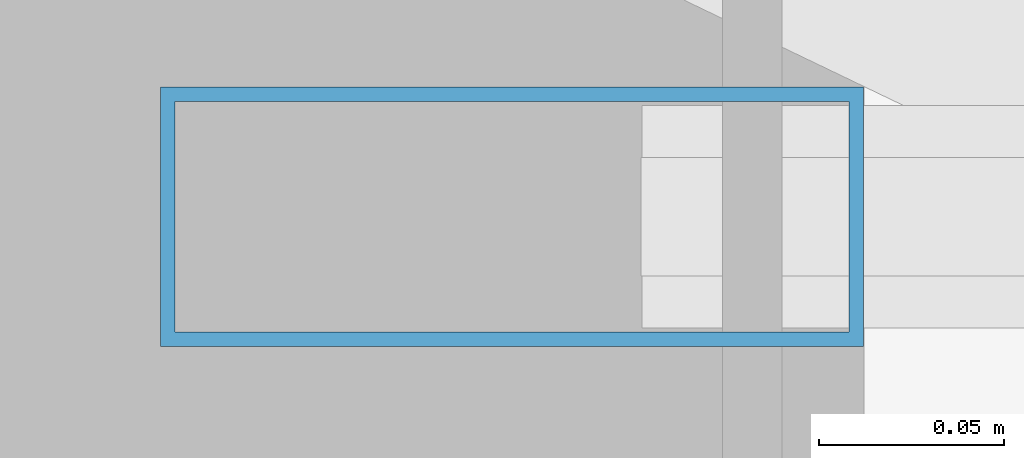
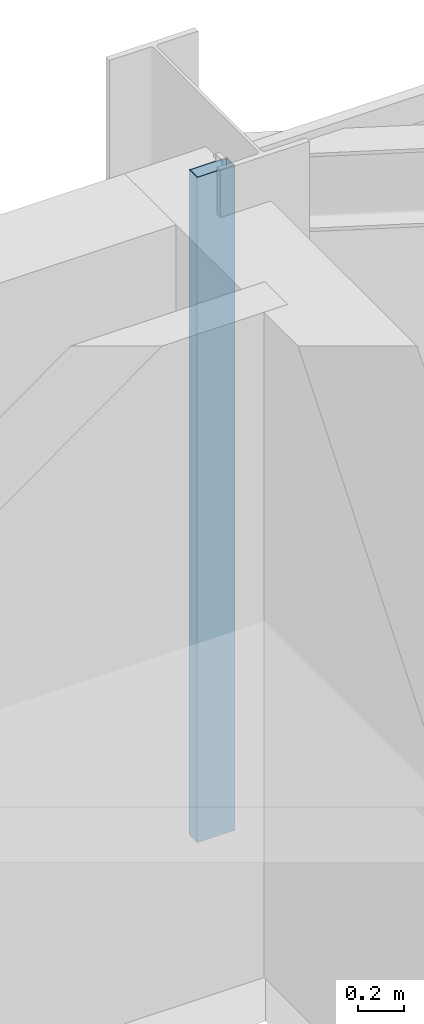
# One storey, part 23 of 33: 1 member, 1 element without a shape of its own.
"""IFC4 building model written with IfcOpenShell, lengths in metres."""

from ifc_helpers import new_model, si_unit, direction, frame, origin, origin_2d, place, context, subcontext, project, spatial, hollow_rectangle, extrude, source, transform, mapped, material, layer, layer_set, material_profile, profile_set, type_object, type_shapes, element, aggregate, save


model = new_model("IFC4")

# Units and contexts
model_context = context("Model", 3, precision=1e-05, world=origin(), true_north=direction((0.0, 1.0)))
body_context = subcontext(model_context, "Body", "Model", "MODEL_VIEW")
ifc_project = project(units=[si_unit("LENGTHUNIT", "METRE"), si_unit("AREAUNIT", "SQUARE_METRE"), si_unit("VOLUMEUNIT", "CUBIC_METRE"), si_unit("PLANEANGLEUNIT", "RADIAN"), si_unit("MASSUNIT", "GRAM", prefix="KILO")], contexts=[model_context])

# Site, building, storey
site_placement = place(None, origin())
site = spatial("IfcSite", under=ifc_project, at=site_placement, CompositionType="ELEMENT")
building_placement = place(site_placement, origin())
building = spatial("IfcBuilding", under=site, at=building_placement, Name="Varnel Quay Broadcast Tower", CompositionType="ELEMENT")
storey_placement = place(building_placement, frame((0.0, 0.0, 129.60009765625)))
storey = spatial("IfcBuildingStorey", under=building, at=storey_placement, Name="L31", CompositionType="ELEMENT", Elevation=129.60009765625)

# Curtain wall, member
ifc_material = material(Name="Anodised Bronze Aluminium 6063-T6", Category="aluminium")
ifc_layer = layer(ifc_material, 0.18994140625, Name="Anodised Bronze Aluminium 6063-T6")
ifc_layer_set = layer_set([ifc_layer], Name="Anodised Bronze Aluminium 6063-T6")
curtain_wall_type = type_object("IfcCurtainWallType", Name="CW_LowerTower", PredefinedType="NOTDEFINED", material=ifc_layer_set)
curtain_wall_placement = place(storey_placement, origin())
curtain_wall = element("IfcCurtainWall", 1, at=curtain_wall_placement, inside=storey, type_object=curtain_wall_type, Name="L31 NE Wing Curtain Wall", PredefinedType="NOTDEFINED")
ifc_material_profile = material_profile(ifc_material, hollow_rectangle(XDim=0.070068359375, YDim=0.18994140625, WallThickness=0.00390625, at=origin_2d()), Name="ALU70X190X4")
ifc_profile_set = profile_set([ifc_material_profile], Name="Anodised Bronze Aluminium 6063-T6")
member_type = type_object("IfcMemberType", Name="Mull_CWS-02", PredefinedType="MULLION", material=ifc_profile_set)
shared_shape = source(origin(), body_context, "Body", "SweptSolid", [
    extrude(hollow_rectangle(XDim=0.070068359375, YDim=0.18994140625, WallThickness=0.00390625, at=origin_2d()), origin(), (0.0, 0.0, 1.0), 3.5498046875),
])
type_shapes(member_type, [shared_shape])
member_placement = place(storey_placement, frame((52.3349609375, 46.64990234375, 0.0), z_axis=(0.0, 0.0, 1.0), x_axis=(0.0, 1.0, 0.0)))
member = element("IfcMember", 2, at=member_placement, type_object=member_type, Name="CWS-02 mullion 1", PredefinedType="MULLION", context=body_context, shape_type="MappedRepresentation", body=[
    mapped(shared_shape, transform((0.0, 0.0, 0.0), x_axis=(1.0, 0.0, 0.0), y_axis=(0.0, 1.0, 0.0), z_axis=(0.0, 0.0, 1.0), scale=1.0)),
])
aggregate(curtain_wall, [member])

save(model, "model.ifc")
